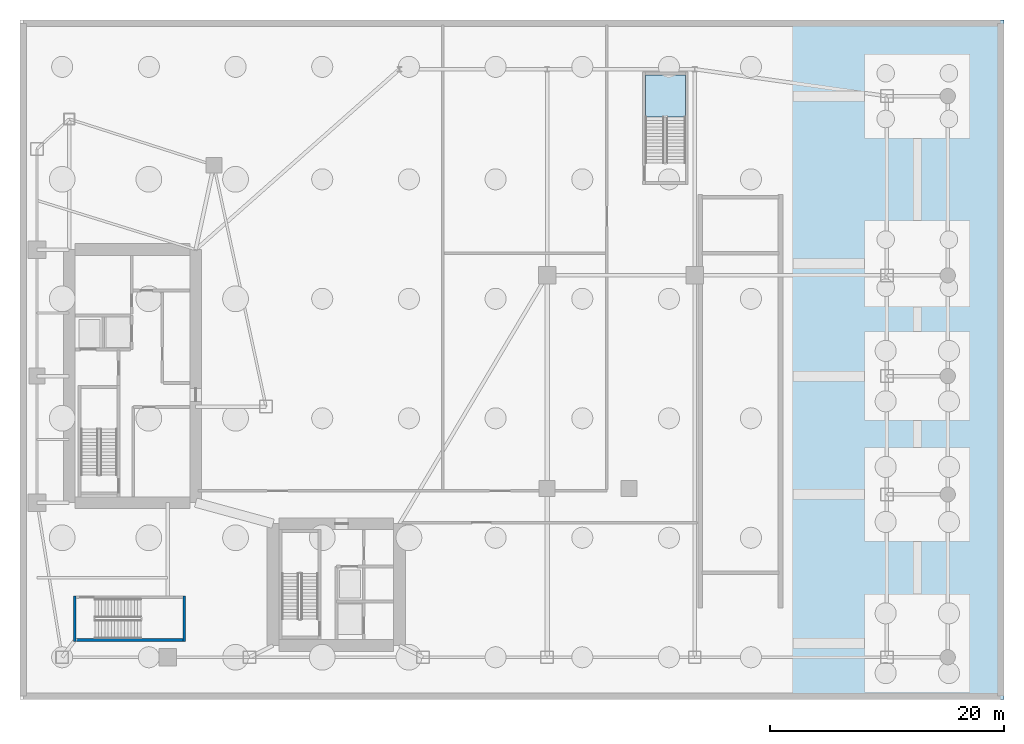
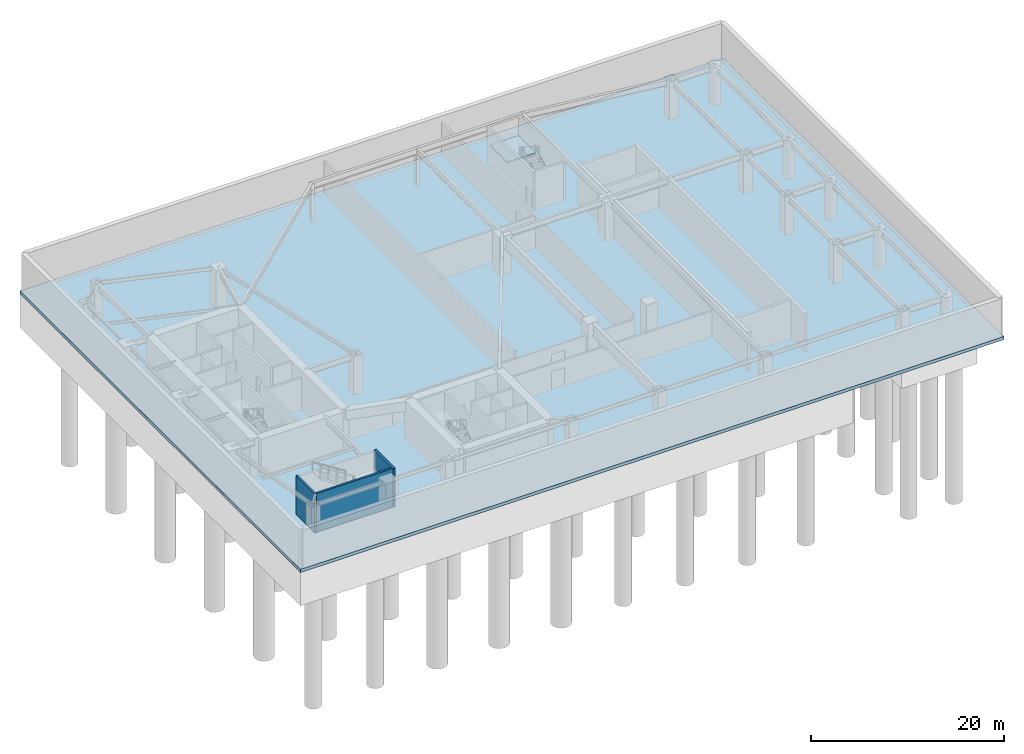
# One storey, part 4 of 12: 3 walls, 2 slabs, 1 element without a shape of its own.
"""IFC4 building model written with IfcOpenShell, lengths in metres."""

from ifc_helpers import new_model, si_unit, direction, frame, frame_2d, origin, place, context, subcontext, project, spatial, polyline, rectangle, outline, extrude, material, layer, layer_set, type_object, element, aggregate, save


model = new_model("IFC4")

# Units and contexts
model_context = context("Model", 3, precision=1e-05, world=origin(), true_north=direction((0.0, 1.0)))
body_context = subcontext(model_context, "Body", "Model", "MODEL_VIEW")
ifc_project = project(units=[si_unit("LENGTHUNIT", "METRE"), si_unit("AREAUNIT", "SQUARE_METRE"), si_unit("VOLUMEUNIT", "CUBIC_METRE"), si_unit("PLANEANGLEUNIT", "RADIAN"), si_unit("MASSUNIT", "GRAM", prefix="KILO")], contexts=[model_context])

# Site, building, storey
site_placement = place(None, origin())
site = spatial("IfcSite", under=ifc_project, at=site_placement, CompositionType="ELEMENT")
building_placement = place(site_placement, origin())
building = spatial("IfcBuilding", under=site, at=building_placement, Name="Calvorn Quay Hotel", CompositionType="ELEMENT")
storey_placement = place(building_placement, frame((0.0, 0.0, -10.39990234375)))
storey = spatial("IfcBuildingStorey", under=building, at=storey_placement, Name="B2", CompositionType="ELEMENT", Elevation=-10.39990234375)

# Slab
ifc_material_1 = material(Name="Concrete C45", Category="concrete")
ifc_layer_1 = layer(ifc_material_1, 0.39990234375)
ifc_layer_set_1 = layer_set([ifc_layer_1], Name="SLB-BSM-BASE-400")
slab_type_1 = type_object("IfcSlabType", Name="SLB-BSM-BASE-400", PredefinedType="BASESLAB", material=ifc_layer_set_1)
slab_1_placement = place(storey_placement, frame((0.0, 0.0, -0.400146484375)))
element("IfcSlab", 1, at=slab_1_placement, inside=storey, type_object=slab_type_1, Name="B2 Structural Floor Slab", PredefinedType="BASESLAB", context=body_context, shape_type="SweptSolid", body=[
    extrude(outline(polyline([(0.0, 0.0), (84.0, 0.0), (84.0, 58.0), (0.0, 58.0), (0.0, 0.0)])), origin(), (0.0, 0.0, 1.0), 0.400146484375),
])

# Stair, slab
ifc_material_2 = material(Name="Concrete C40", Category="concrete")
stair_type = type_object("IfcStairType", Name="STR-POD-DOGLEG", PredefinedType="TWO_QUARTER_TURN_STAIR", material=ifc_material_2)
stair_placement = place(storey_placement, origin())
stair = element("IfcStair", 2, at=stair_placement, inside=storey, type_object=stair_type, Name="B2 ST-P1", PredefinedType="TWO_QUARTER_TURN_STAIR")
ifc_material_3 = material(Name="Concrete C40", Category="concrete")
ifc_layer_2 = layer(ifc_material_3, 0.199951171875)
ifc_layer_set_2 = layer_set([ifc_layer_2], Name="SLB-STAIR-LANDING-200")
slab_type_2 = type_object("IfcSlabType", Name="SLB-STAIR-LANDING-200", PredefinedType="LANDING", material=ifc_layer_set_2)
slab_2_placement = place(storey_placement, frame((0.0, 0.0, 2.39990234375)))
slab_2 = element("IfcSlab", 3, at=slab_2_placement, type_object=slab_type_2, Name="ST-P1 landing 1", PredefinedType="LANDING", context=body_context, shape_type="SweptSolid", body=[
    extrude(outline(polyline([(56.800048828125, 49.719970703125), (56.800048828125, 53.300048828125), (53.39990234375, 53.300048828125), (53.39990234375, 49.719970703125), (56.800048828125, 49.719970703125)])), origin(), (0.0, 0.0, 1.0), 0.199951171875),
])
aggregate(stair, [slab_2])

# Walls
ifc_material_4 = material(Name="Concrete C40", Category="concrete")
ifc_layer_3 = layer(ifc_material_4, 0.239990234375)
ifc_layer_set_3 = layer_set([ifc_layer_3], Name="WL-SHAFT-240")
wall_type = type_object("IfcWallType", Name="WL-SHAFT-240", PredefinedType="SOLIDWALL", material=ifc_layer_set_3)
for number, where, z_axis, x_axis, name in (
    (4, (4.679931640625, 4.9599609375, 0.0), (0.0, 0.0, 1.0), (0.0, 1.0, 0.0), "Stair STP2 Shaft Wall W (B2)"),
    (5, (14.02001953125, 4.9599609375, 0.0), (0.0, 0.0, 1.0), (0.0, 1.0, 0.0), "Stair STP2 Shaft Wall E (B2)"),
):
    element("IfcWall", number, at=place(storey_placement, frame(where, z_axis=z_axis, x_axis=x_axis)), inside=storey, type_object=wall_type, Name=name, PredefinedType="SOLIDWALL", context=body_context, shape_type="SweptSolid", body=[
        extrude(rectangle(XDim=3.880126953125, YDim=0.239990234375, at=frame_2d((1.93994140625, 0.0))), origin(), (0.0, 0.0, 1.0), 4.8798828125),
    ])
wall_placement = place(storey_placement, frame((4.800048828125, 5.080078125, 0.0), z_axis=(0.0, 0.0, 1.0), x_axis=(1.0, 0.0, 0.0)))
element("IfcWall", 6, at=wall_placement, inside=storey, type_object=wall_type, Name="Stair STP2 Shaft Wall S (B2)", PredefinedType="SOLIDWALL", context=body_context, shape_type="SweptSolid", body=[
    extrude(rectangle(XDim=9.099853515625, YDim=0.239990234375, at=frame_2d((4.5498046875, 0.0))), origin(), (0.0, 0.0, 1.0), 4.8798828125),
])

save(model, "model.ifc")
